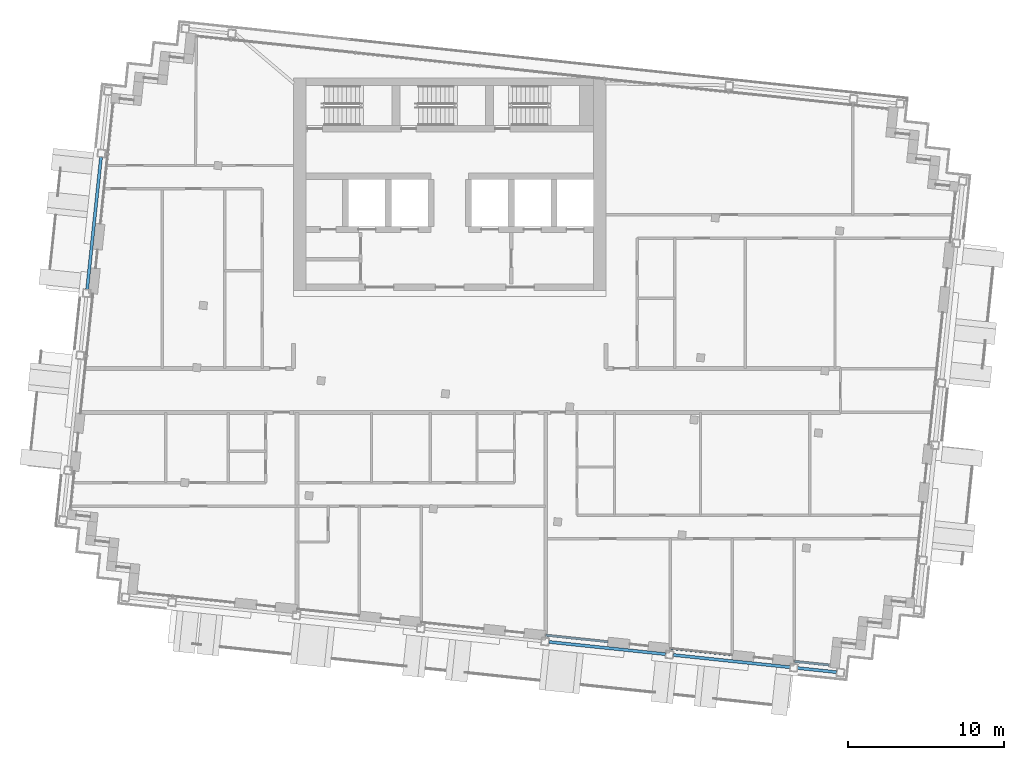
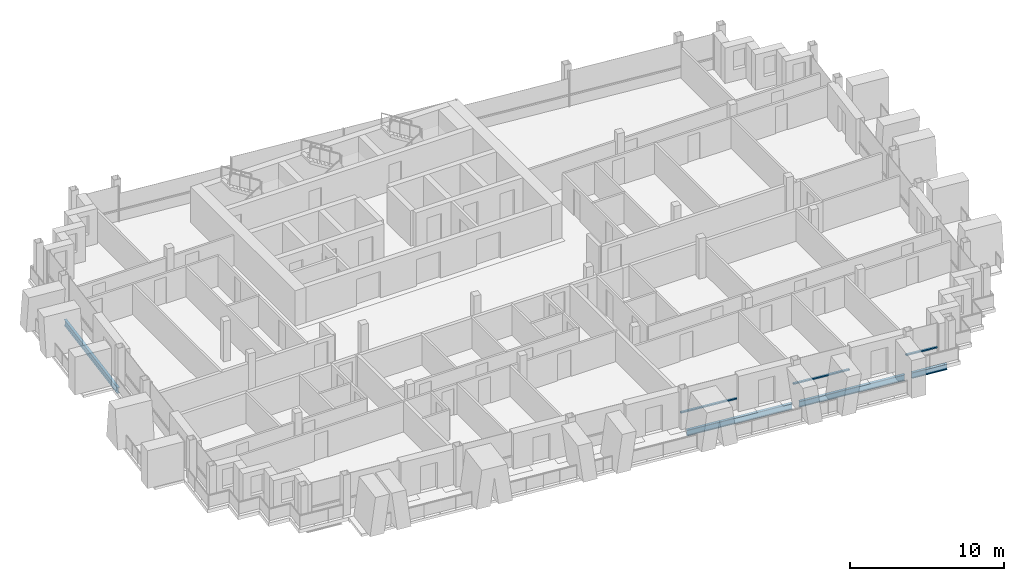
# One storey, part 3 of 16: 4 beams, 3 members, 3 elements without a shape of their own.
"""IFC4 building model written with IfcOpenShell, lengths in metres."""

import ifcopenshell
import ifcopenshell.guid

model = None  # the IFC model being written
_history = None  # IfcOwnerHistory: only IFC2X3 demands one
_inside = {}  # id of a spatial element -> (the spatial element, [elements in it])
_under = {}  # id of a project, library or spatial element -> (it, [spatial elements below it])
_declared = {}  # id of a project -> (the project, [libraries it declares])
_typed = {}  # id of a type object -> (the type object, [elements of that type])
_made_of = {}  # id of a material, layer set ... -> (it, [elements and type objects made of it])


def new_model(schema):
    """Start an empty IFC model of exactly this schema.

    Asked for "IFC4X3", IfcOpenShell would pick the latest addendum, in which some entities
    have other attributes; the version numbers below select the first issue.
    IFC2X3 requires an IfcOwnerHistory on every rooted entity: one is made here for all.
    """
    global model, _history
    if schema == "IFC4X3":
        model = ifcopenshell.file(schema_version=(4, 3, 0, 0))
    else:
        model = ifcopenshell.file(schema=schema)
    _inside.clear()
    _under.clear()
    _declared.clear()
    _typed.clear()
    _made_of.clear()
    _history = None
    if model.schema == "IFC2X3":
        org = make("IfcOrganization", Name="unknown")
        user = make(
            "IfcPersonAndOrganization",
            ThePerson=make("IfcPerson", FamilyName="unknown"),
            TheOrganization=org,
        )
        app = make(
            "IfcApplication",
            ApplicationDeveloper=org,
            Version="unknown",
            ApplicationFullName="unknown",
            ApplicationIdentifier="unknown",
        )
        _history = make(
            "IfcOwnerHistory",
            OwningUser=user,
            OwningApplication=app,
            ChangeAction="ADDED",
            CreationDate=0,
        )
    return model


def make(cls, **values):
    """One entity of the class cls with the attributes given. An attribute that is None is left unset."""
    return model.create_entity(
        cls, **{name: value for name, value in values.items() if value is not None}
    )


def rooted(cls, **values):
    """An entity with a GlobalId (a new one), such as an element, a storey or a relation."""
    return make(cls, GlobalId=ifcopenshell.guid.new(), OwnerHistory=_history, **values)


def si_unit(unit_type, name, prefix=None):
    """IfcSIUnit, for example si_unit("LENGTHUNIT", "METRE", prefix="MILLI")."""
    return make("IfcSIUnit", UnitType=unit_type, Prefix=prefix, Name=name)


def assignment(units):
    """IfcUnitAssignment: the units of a project."""
    return None if units is None else make("IfcUnitAssignment", Units=units)


def point(xyz):
    """IfcCartesianPoint."""
    return None if xyz is None else make("IfcCartesianPoint", Coordinates=xyz)


def direction(xyz):
    """IfcDirection."""
    return None if xyz is None else make("IfcDirection", DirectionRatios=xyz)


def frame(location, z_axis=None, x_axis=None):
    """IfcAxis2Placement3D, a coordinate frame: its origin and axes. An axis left out is left unset."""
    return make(
        "IfcAxis2Placement3D",
        Location=point(location),
        Axis=direction(z_axis),
        RefDirection=direction(x_axis),
    )


def frame_2d(location, x_axis=None):
    """IfcAxis2Placement2D, a coordinate frame in the plane: its origin and x axis."""
    return make(
        "IfcAxis2Placement2D", Location=point(location), RefDirection=direction(x_axis)
    )


def origin():
    """The frame at (0, 0, 0) with its axes left unset."""
    return frame((0.0, 0.0, 0.0))


def origin_2d():
    """The frame at (0, 0) in the plane with its x axis left unset."""
    return frame_2d((0.0, 0.0))


def place(relative_to, where):
    """IfcLocalPlacement: puts the frame where relative to a parent placement (None: the world)."""
    return make(
        "IfcLocalPlacement", PlacementRelTo=relative_to, RelativePlacement=where
    )


def context(
    kind, dimensions, precision=None, world=None, true_north=None, identifier=None
):
    """IfcGeometricRepresentationContext, for example the 3D "Model" context."""
    return make(
        "IfcGeometricRepresentationContext",
        ContextIdentifier=identifier,
        ContextType=kind,
        CoordinateSpaceDimension=dimensions,
        Precision=precision,
        WorldCoordinateSystem=world,
        TrueNorth=true_north,
    )


def subcontext(parent, identifier, kind, view, scale=None):
    """IfcGeometricRepresentationSubContext, for example "Body" below "Model"."""
    return make(
        "IfcGeometricRepresentationSubContext",
        ContextIdentifier=identifier,
        ContextType=kind,
        ParentContext=parent,
        TargetScale=scale,
        TargetView=view,
    )


def project(units=None, contexts=None):
    """IfcProject with its units and contexts."""
    return rooted(
        "IfcProject",
        Name="project",
        RepresentationContexts=contexts,
        UnitsInContext=assignment(units),
    )


def spatial(cls, under=None, at=None, **own):
    """A site, building, storey or space (cls), placed at a placement, below another one or the project."""
    s = rooted(cls, ObjectPlacement=at, **own)
    if under is not None:
        _under.setdefault(under.id(), (under, []))[1].append(s)
    return s


def profile(cls, at=None, kind="AREA", **sizes):
    """A parametric profile (cls). Its sizes go by their IFC names, for example OverallWidth=200.0."""
    return make(cls, ProfileType=kind, Position=at, **sizes)


def rectangle(**sizes):
    """IfcRectangleProfileDef."""
    return profile("IfcRectangleProfileDef", **sizes)


def i_section(**sizes):
    """IfcIShapeProfileDef."""
    return profile("IfcIShapeProfileDef", **sizes)


def extrude(swept, where, along, depth):
    """IfcExtrudedAreaSolid: the profile swept, set in the frame where, extruded along a direction by depth."""
    return make(
        "IfcExtrudedAreaSolid",
        SweptArea=swept,
        Position=where,
        ExtrudedDirection=direction(along),
        Depth=depth,
    )


def shape(context_of_items, identifier, shape_type, items):
    """IfcShapeRepresentation: the items that make up one representation, for example the "Body"."""
    return make(
        "IfcShapeRepresentation",
        ContextOfItems=context_of_items,
        RepresentationIdentifier=identifier,
        RepresentationType=shape_type,
        Items=items,
    )


def material(Name=None, Category=None):
    """IfcMaterial."""
    return make("IfcMaterial", Name=Name, Category=Category)


def material_profile(
    of_material, cross_section, Name=None, Category=None, Priority=None
):
    """IfcMaterialProfile: a cross section and its material."""
    return make(
        "IfcMaterialProfile",
        Name=Name,
        Material=of_material,
        Profile=cross_section,
        Priority=Priority,
        Category=Category,
    )


def profile_set(profiles, Name=None, composite=None):
    """IfcMaterialProfileSet."""
    return make(
        "IfcMaterialProfileSet",
        Name=Name,
        MaterialProfiles=profiles,
        CompositeProfile=composite,
    )


def made_of(thing, what):
    """Note that an element or type object is made of a material, layer set ...; save() writes the relation."""
    if what is not None:
        _made_of.setdefault(what.id(), (what, []))[1].append(thing)
    return thing


def type_object(cls, material=None, **own):
    """A type object (cls), such as IfcWallType, which elements share."""
    return made_of(rooted(cls, **own), material)


def element(
    cls,
    number,
    at=None,
    inside=None,
    cuts=None,
    type_object=None,
    material=None,
    context=None,
    identifier="Body",
    shape_type=None,
    held_by="IfcProductDefinitionShape",
    body=None,
    shapes=None,
    **own,
):
    """One element of the class cls, such as IfcWall. Its Tag is "e" and its number.

    at: its placement. inside: the storey or other place that contains it. cuts: it is an
    opening in that element (IfcRelVoidsElement). A single representation is given by context,
    identifier, shape_type and body (its items); several are given by shapes. held_by: the class
    of the entity that holds the representations. save() writes the other relations.
    """
    e = rooted(cls, Tag="e%d" % number, ObjectPlacement=at, **own)
    if body is not None:
        shapes = [shape(context, identifier, shape_type, body)]
    if shapes is not None:
        e.Representation = make(held_by, Representations=shapes)
    if inside is not None:
        _inside.setdefault(inside.id(), (inside, []))[1].append(e)
    if cuts is not None:
        rooted(
            "IfcRelVoidsElement", RelatingBuildingElement=cuts, RelatedOpeningElement=e
        )
    if type_object is not None:
        _typed.setdefault(type_object.id(), (type_object, []))[1].append(e)
    return made_of(e, material)


def aggregate(whole, parts):
    """IfcRelAggregates: a whole, such as a stair, and the parts it consists of."""
    return rooted("IfcRelAggregates", RelatingObject=whole, RelatedObjects=parts)


def save(model, path):
    """Write the relations noted so far, then the file.

    IfcRelAggregates (storeys below a building ...), IfcRelContainedInSpatialStructure (elements
    in a storey), IfcRelDefinesByType, IfcRelAssociatesMaterial and IfcRelDeclares: one each for
    every whole, place, type object, material and project.
    """
    for whole, parts in _under.values():
        aggregate(whole, parts)
    for where, things in _inside.values():
        rooted(
            "IfcRelContainedInSpatialStructure",
            RelatedElements=things,
            RelatingStructure=where,
        )
    for kind, things in _typed.values():
        rooted("IfcRelDefinesByType", RelatedObjects=things, RelatingType=kind)
    for what, things in _made_of.values():
        rooted("IfcRelAssociatesMaterial", RelatedObjects=things, RelatingMaterial=what)
    for by, libraries in _declared.values():
        rooted("IfcRelDeclares", RelatingContext=by, RelatedDefinitions=libraries)
    model.write(path)


model = new_model("IFC4")

# Units and contexts
model_context = context("Model", 3, precision=1e-05, world=origin(), true_north=direction((0.0, 1.0)))
body_context = subcontext(model_context, "Body", "Model", "MODEL_VIEW")
ifc_project = project(units=[si_unit("LENGTHUNIT", "METRE"), si_unit("AREAUNIT", "SQUARE_METRE"), si_unit("VOLUMEUNIT", "CUBIC_METRE"), si_unit("PLANEANGLEUNIT", "RADIAN"), si_unit("MASSUNIT", "GRAM", prefix="KILO")], contexts=[model_context])

# Site, building, storey
site_placement = place(None, origin())
site = spatial("IfcSite", under=ifc_project, at=site_placement, CompositionType="ELEMENT")
building_placement = place(site_placement, origin())
building = spatial("IfcBuilding", under=site, at=building_placement, Name="Vidyagriha Tower", CompositionType="ELEMENT")
storey_placement = place(building_placement, frame((0.0, 0.0, 278.699951171875)))
storey = spatial("IfcBuildingStorey", under=building, at=storey_placement, Name="L73", CompositionType="ELEMENT", Elevation=278.699951171875)

# Beams
ifc_material_1 = material(Name="Steel ASTM A992 Grade 50", Category="steel")
ifc_material_profile_1 = material_profile(ifc_material_1, i_section(OverallWidth=0.19189453125, OverallDepth=0.46240234375, WebThickness=0.010498046875, FlangeThickness=0.017578125, at=origin_2d()), Name="W18X60")
ifc_profile_set_1 = profile_set([ifc_material_profile_1], Name="Steel ASTM A992 Grade 50")
beam_type = type_object("IfcBeamType", Name="Edge beam W18X60", PredefinedType="SPANDREL", material=ifc_profile_set_1)
for number, where, z_axis, x_axis, name in (
    (1, (6.3486328125, -16.091064453125, -0.510986328125), (0.994522384662, -0.104523807841, 0.0), (0.104523807841, 0.994522384662, 0.0), "st-beam-L73-S05"),
    (2, (14.304931640625, -16.92724609375, -0.510986328125), (0.994522384662, -0.104523807841, 0.0), (0.104523807841, 0.994522384662, 0.0), "st-beam-L73-S06"),
):
    element("IfcBeam", number, at=place(storey_placement, frame(where, z_axis=z_axis, x_axis=x_axis)), inside=storey, type_object=beam_type, Name=name, PredefinedType="SPANDREL", context=body_context, shape_type="SweptSolid", body=[
        extrude(i_section(OverallWidth=0.19189453125, OverallDepth=0.46240234375, WebThickness=0.010498046875, FlangeThickness=0.017578125, at=origin_2d()), origin(), (0.0, 0.0, 1.0), 7.5),
    ])
beam_1_placement = place(storey_placement, frame((22.260986328125, -17.763427734375, -0.510986328125), z_axis=(0.994515615024, -0.104588199498, 0.0), x_axis=(0.104588199498, 0.994515615024, 0.0)))
element("IfcBeam", 3, at=beam_1_placement, inside=storey, type_object=beam_type, Name="st-beam-L73-S07", PredefinedType="SPANDREL", context=body_context, shape_type="SweptSolid", body=[
    extrude(i_section(OverallWidth=0.19189453125, OverallDepth=0.46240234375, WebThickness=0.010498046875, FlangeThickness=0.017578125, at=origin_2d()), origin(), (0.0, 0.0, 1.0), 2.5),
])
beam_2_placement = place(storey_placement, frame((-23.20458984375, 6.4716796875, -0.510986328125), z_axis=(0.104518825829, 0.994522908257, 0.0), x_axis=(-0.994522908257, 0.104518825829, 0.0)))
element("IfcBeam", 4, at=beam_2_placement, inside=storey, type_object=beam_type, Name="st-beam-L73-W11", PredefinedType="SPANDREL", context=body_context, shape_type="SweptSolid", body=[
    extrude(i_section(OverallWidth=0.19189453125, OverallDepth=0.46240234375, WebThickness=0.010498046875, FlangeThickness=0.017578125, at=origin_2d()), origin(), (0.0, 0.0, 1.0), 8.500244140625),
])

# Curtain wall, member
ifc_material_2 = material(Name="Aluminium and glass curtain wall", Category="aluminium")
curtain_wall_type = type_object("IfcCurtainWallType", Name="Dwelling skin unitised curtain wall", PredefinedType="USERDEFINED", material=ifc_material_2)
curtain_wall_1_placement = place(storey_placement, origin())
curtain_wall_1 = element("IfcCurtainWall", 5, at=curtain_wall_1_placement, inside=storey, type_object=curtain_wall_type, Name="CW1 dwelling skin", ObjectType="UNITISED", PredefinedType="USERDEFINED")
ifc_material_3 = material(Name="Aluminium black anodised", Category="aluminium")
ifc_material_profile_2 = material_profile(ifc_material_3, rectangle(XDim=0.159912109375, YDim=0.10009765625, at=origin_2d()), Name="Transom 100x160 black aluminium")
ifc_profile_set_2 = profile_set([ifc_material_profile_2], Name="Aluminium black anodised")
member_type = type_object("IfcMemberType", Name="Transom 100x160 black aluminium", PredefinedType="USERDEFINED", material=ifc_profile_set_2)
member_1_placement = place(storey_placement, frame((6.141845703125, -15.6669921875, 0.900146484375), z_axis=(0.99451982373, -0.104548171712, 0.0), x_axis=(0.104548171712, 0.99451982373, 0.0)))
member_1 = element("IfcMember", 6, at=member_1_placement, type_object=member_type, Name="CW1 transom 1.1", ObjectType="TRANSOM", PredefinedType="USERDEFINED", context=body_context, shape_type="SweptSolid", body=[
    extrude(rectangle(XDim=0.159912109375, YDim=0.10009765625, at=origin_2d()), origin(), (0.0, 0.0, 1.0), 4.000244140625),
])
aggregate(curtain_wall_1, [member_1])

curtain_wall_2_placement = place(storey_placement, origin())
curtain_wall_2 = element("IfcCurtainWall", 7, at=curtain_wall_2_placement, inside=storey, type_object=curtain_wall_type, Name="CW1 dwelling skin", ObjectType="UNITISED", PredefinedType="USERDEFINED")
member_2_placement = place(storey_placement, frame((14.09814453125, -16.50341796875, 0.900146484375), z_axis=(0.99452550138, -0.104494148666, 0.0), x_axis=(0.104494148666, 0.99452550138, 0.0)))
member_2 = element("IfcMember", 8, at=member_2_placement, type_object=member_type, Name="CW1 transom 1.1", ObjectType="TRANSOM", PredefinedType="USERDEFINED", context=body_context, shape_type="SweptSolid", body=[
    extrude(rectangle(XDim=0.159912109375, YDim=0.10009765625, at=origin_2d()), origin(), (0.0, 0.0, 1.0), 4.0),
])
aggregate(curtain_wall_2, [member_2])

curtain_wall_3_placement = place(storey_placement, origin())
curtain_wall_3 = element("IfcCurtainWall", 9, at=curtain_wall_3_placement, inside=storey, type_object=curtain_wall_type, Name="CW1 dwelling skin", ObjectType="UNITISED", PredefinedType="USERDEFINED")
member_3_placement = place(storey_placement, frame((22.05419921875, -17.339599609375, 0.900146484375), z_axis=(0.994530619876, -0.10444542177, 0.0), x_axis=(0.10444542177, 0.994530619876, 0.0)))
member_3 = element("IfcMember", 10, at=member_3_placement, type_object=member_type, Name="CW1 transom 1.1", ObjectType="TRANSOM", PredefinedType="USERDEFINED", context=body_context, shape_type="SweptSolid", body=[
    extrude(rectangle(XDim=0.159912109375, YDim=0.10009765625, at=origin_2d()), origin(), (0.0, 0.0, 1.0), 2.22998046875),
])
aggregate(curtain_wall_3, [member_3])

save(model, "model.ifc")
